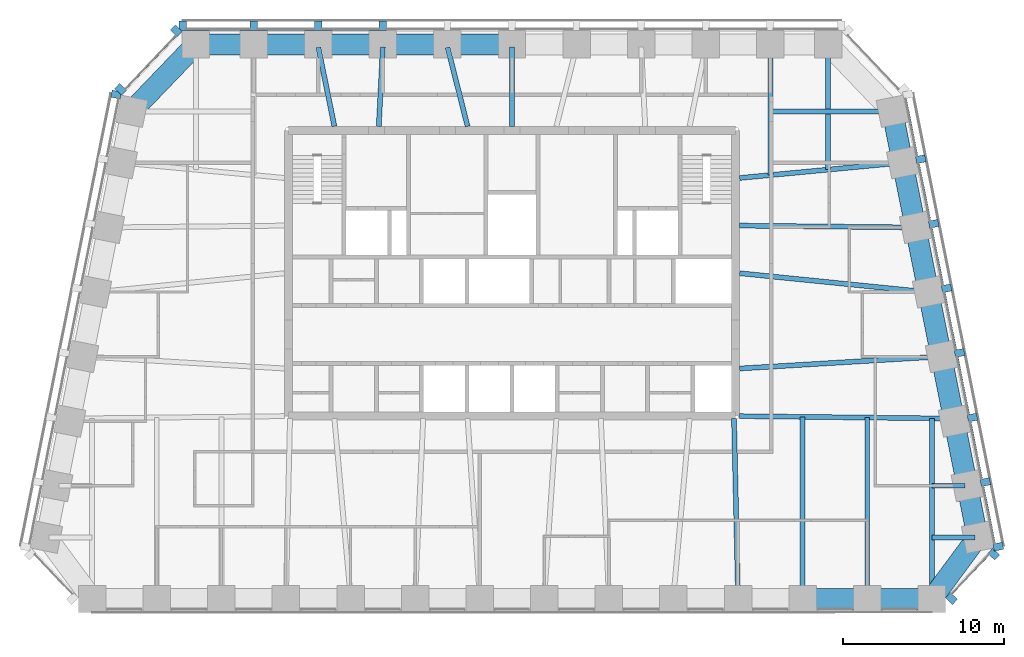
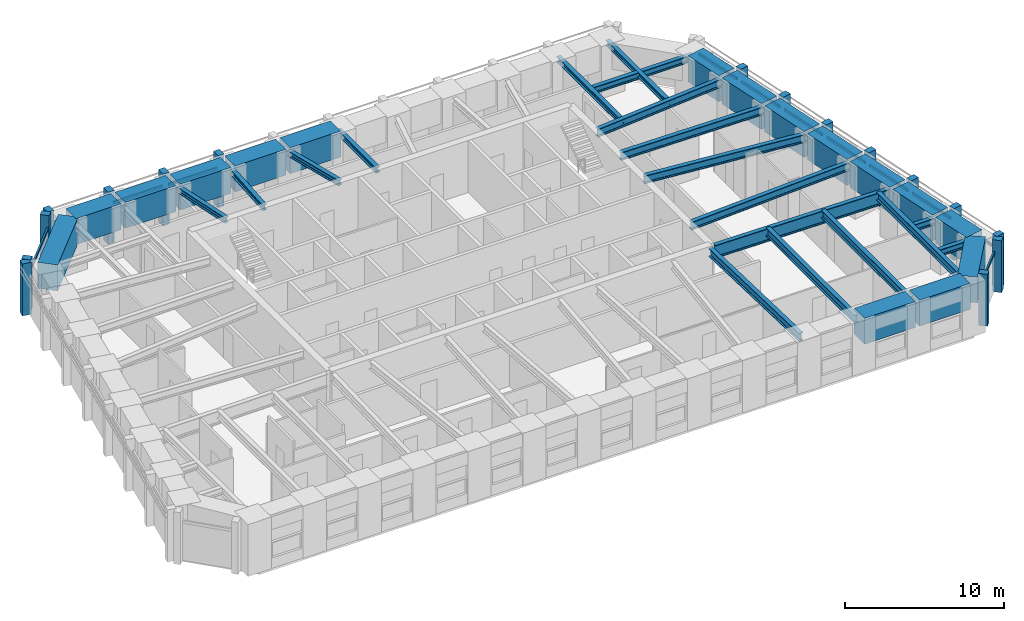
# One storey, part 2 of 11: 34 beams, 28 members, 5 elements without a shape of their own.
"""IFC4 building model written with IfcOpenShell, lengths in metres."""

import ifcopenshell
import ifcopenshell.guid

model = None  # the IFC model being written
_history = None  # IfcOwnerHistory: only IFC2X3 demands one
_inside = {}  # id of a spatial element -> (the spatial element, [elements in it])
_under = {}  # id of a project, library or spatial element -> (it, [spatial elements below it])
_declared = {}  # id of a project -> (the project, [libraries it declares])
_typed = {}  # id of a type object -> (the type object, [elements of that type])
_made_of = {}  # id of a material, layer set ... -> (it, [elements and type objects made of it])


def new_model(schema):
    """Start an empty IFC model of exactly this schema.

    Asked for "IFC4X3", IfcOpenShell would pick the latest addendum, in which some entities
    have other attributes; the version numbers below select the first issue.
    IFC2X3 requires an IfcOwnerHistory on every rooted entity: one is made here for all.
    """
    global model, _history
    if schema == "IFC4X3":
        model = ifcopenshell.file(schema_version=(4, 3, 0, 0))
    else:
        model = ifcopenshell.file(schema=schema)
    _inside.clear()
    _under.clear()
    _declared.clear()
    _typed.clear()
    _made_of.clear()
    _history = None
    if model.schema == "IFC2X3":
        org = make("IfcOrganization", Name="unknown")
        user = make(
            "IfcPersonAndOrganization",
            ThePerson=make("IfcPerson", FamilyName="unknown"),
            TheOrganization=org,
        )
        app = make(
            "IfcApplication",
            ApplicationDeveloper=org,
            Version="unknown",
            ApplicationFullName="unknown",
            ApplicationIdentifier="unknown",
        )
        _history = make(
            "IfcOwnerHistory",
            OwningUser=user,
            OwningApplication=app,
            ChangeAction="ADDED",
            CreationDate=0,
        )
    return model


def make(cls, **values):
    """One entity of the class cls with the attributes given. An attribute that is None is left unset."""
    return model.create_entity(
        cls, **{name: value for name, value in values.items() if value is not None}
    )


def rooted(cls, **values):
    """An entity with a GlobalId (a new one), such as an element, a storey or a relation."""
    return make(cls, GlobalId=ifcopenshell.guid.new(), OwnerHistory=_history, **values)


def si_unit(unit_type, name, prefix=None):
    """IfcSIUnit, for example si_unit("LENGTHUNIT", "METRE", prefix="MILLI")."""
    return make("IfcSIUnit", UnitType=unit_type, Prefix=prefix, Name=name)


def assignment(units):
    """IfcUnitAssignment: the units of a project."""
    return None if units is None else make("IfcUnitAssignment", Units=units)


def point(xyz):
    """IfcCartesianPoint."""
    return None if xyz is None else make("IfcCartesianPoint", Coordinates=xyz)


def direction(xyz):
    """IfcDirection."""
    return None if xyz is None else make("IfcDirection", DirectionRatios=xyz)


def frame(location, z_axis=None, x_axis=None):
    """IfcAxis2Placement3D, a coordinate frame: its origin and axes. An axis left out is left unset."""
    return make(
        "IfcAxis2Placement3D",
        Location=point(location),
        Axis=direction(z_axis),
        RefDirection=direction(x_axis),
    )


def frame_2d(location, x_axis=None):
    """IfcAxis2Placement2D, a coordinate frame in the plane: its origin and x axis."""
    return make(
        "IfcAxis2Placement2D", Location=point(location), RefDirection=direction(x_axis)
    )


def origin():
    """The frame at (0, 0, 0) with its axes left unset."""
    return frame((0.0, 0.0, 0.0))


def origin_2d():
    """The frame at (0, 0) in the plane with its x axis left unset."""
    return frame_2d((0.0, 0.0))


def place(relative_to, where):
    """IfcLocalPlacement: puts the frame where relative to a parent placement (None: the world)."""
    return make(
        "IfcLocalPlacement", PlacementRelTo=relative_to, RelativePlacement=where
    )


def context(
    kind, dimensions, precision=None, world=None, true_north=None, identifier=None
):
    """IfcGeometricRepresentationContext, for example the 3D "Model" context."""
    return make(
        "IfcGeometricRepresentationContext",
        ContextIdentifier=identifier,
        ContextType=kind,
        CoordinateSpaceDimension=dimensions,
        Precision=precision,
        WorldCoordinateSystem=world,
        TrueNorth=true_north,
    )


def subcontext(parent, identifier, kind, view, scale=None):
    """IfcGeometricRepresentationSubContext, for example "Body" below "Model"."""
    return make(
        "IfcGeometricRepresentationSubContext",
        ContextIdentifier=identifier,
        ContextType=kind,
        ParentContext=parent,
        TargetScale=scale,
        TargetView=view,
    )


def project(units=None, contexts=None):
    """IfcProject with its units and contexts."""
    return rooted(
        "IfcProject",
        Name="project",
        RepresentationContexts=contexts,
        UnitsInContext=assignment(units),
    )


def spatial(cls, under=None, at=None, **own):
    """A site, building, storey or space (cls), placed at a placement, below another one or the project."""
    s = rooted(cls, ObjectPlacement=at, **own)
    if under is not None:
        _under.setdefault(under.id(), (under, []))[1].append(s)
    return s


def profile(cls, at=None, kind="AREA", **sizes):
    """A parametric profile (cls). Its sizes go by their IFC names, for example OverallWidth=200.0."""
    return make(cls, ProfileType=kind, Position=at, **sizes)


def rectangle(**sizes):
    """IfcRectangleProfileDef."""
    return profile("IfcRectangleProfileDef", **sizes)


def i_section(**sizes):
    """IfcIShapeProfileDef."""
    return profile("IfcIShapeProfileDef", **sizes)


def extrude(swept, where, along, depth):
    """IfcExtrudedAreaSolid: the profile swept, set in the frame where, extruded along a direction by depth."""
    return make(
        "IfcExtrudedAreaSolid",
        SweptArea=swept,
        Position=where,
        ExtrudedDirection=direction(along),
        Depth=depth,
    )


def shape(context_of_items, identifier, shape_type, items):
    """IfcShapeRepresentation: the items that make up one representation, for example the "Body"."""
    return make(
        "IfcShapeRepresentation",
        ContextOfItems=context_of_items,
        RepresentationIdentifier=identifier,
        RepresentationType=shape_type,
        Items=items,
    )


def material(Name=None, Category=None):
    """IfcMaterial."""
    return make("IfcMaterial", Name=Name, Category=Category)


def material_profile(
    of_material, cross_section, Name=None, Category=None, Priority=None
):
    """IfcMaterialProfile: a cross section and its material."""
    return make(
        "IfcMaterialProfile",
        Name=Name,
        Material=of_material,
        Profile=cross_section,
        Priority=Priority,
        Category=Category,
    )


def profile_set(profiles, Name=None, composite=None):
    """IfcMaterialProfileSet."""
    return make(
        "IfcMaterialProfileSet",
        Name=Name,
        MaterialProfiles=profiles,
        CompositeProfile=composite,
    )


def made_of(thing, what):
    """Note that an element or type object is made of a material, layer set ...; save() writes the relation."""
    if what is not None:
        _made_of.setdefault(what.id(), (what, []))[1].append(thing)
    return thing


def type_object(cls, material=None, **own):
    """A type object (cls), such as IfcWallType, which elements share."""
    return made_of(rooted(cls, **own), material)


def element(
    cls,
    number,
    at=None,
    inside=None,
    cuts=None,
    type_object=None,
    material=None,
    context=None,
    identifier="Body",
    shape_type=None,
    held_by="IfcProductDefinitionShape",
    body=None,
    shapes=None,
    **own,
):
    """One element of the class cls, such as IfcWall. Its Tag is "e" and its number.

    at: its placement. inside: the storey or other place that contains it. cuts: it is an
    opening in that element (IfcRelVoidsElement). A single representation is given by context,
    identifier, shape_type and body (its items); several are given by shapes. held_by: the class
    of the entity that holds the representations. save() writes the other relations.
    """
    e = rooted(cls, Tag="e%d" % number, ObjectPlacement=at, **own)
    if body is not None:
        shapes = [shape(context, identifier, shape_type, body)]
    if shapes is not None:
        e.Representation = make(held_by, Representations=shapes)
    if inside is not None:
        _inside.setdefault(inside.id(), (inside, []))[1].append(e)
    if cuts is not None:
        rooted(
            "IfcRelVoidsElement", RelatingBuildingElement=cuts, RelatedOpeningElement=e
        )
    if type_object is not None:
        _typed.setdefault(type_object.id(), (type_object, []))[1].append(e)
    return made_of(e, material)


def aggregate(whole, parts):
    """IfcRelAggregates: a whole, such as a stair, and the parts it consists of."""
    return rooted("IfcRelAggregates", RelatingObject=whole, RelatedObjects=parts)


def save(model, path):
    """Write the relations noted so far, then the file.

    IfcRelAggregates (storeys below a building ...), IfcRelContainedInSpatialStructure (elements
    in a storey), IfcRelDefinesByType, IfcRelAssociatesMaterial and IfcRelDeclares: one each for
    every whole, place, type object, material and project.
    """
    for whole, parts in _under.values():
        aggregate(whole, parts)
    for where, things in _inside.values():
        rooted(
            "IfcRelContainedInSpatialStructure",
            RelatedElements=things,
            RelatingStructure=where,
        )
    for kind, things in _typed.values():
        rooted("IfcRelDefinesByType", RelatedObjects=things, RelatingType=kind)
    for what, things in _made_of.values():
        rooted("IfcRelAssociatesMaterial", RelatedObjects=things, RelatingMaterial=what)
    for by, libraries in _declared.values():
        rooted("IfcRelDeclares", RelatingContext=by, RelatedDefinitions=libraries)
    model.write(path)


model = new_model("IFC4")

# Units and contexts
model_context = context("Model", 3, precision=1e-05, world=origin(), true_north=direction((0.0, 1.0)))
body_context = subcontext(model_context, "Body", "Model", "MODEL_VIEW")
ifc_project = project(units=[si_unit("LENGTHUNIT", "METRE"), si_unit("AREAUNIT", "SQUARE_METRE"), si_unit("VOLUMEUNIT", "CUBIC_METRE"), si_unit("PLANEANGLEUNIT", "RADIAN"), si_unit("MASSUNIT", "GRAM", prefix="KILO")], contexts=[model_context])

# Site, building, storey
site_placement = place(None, origin())
site = spatial("IfcSite", under=ifc_project, at=site_placement, CompositionType="ELEMENT")
building_placement = place(site_placement, origin())
building = spatial("IfcBuilding", under=site, at=building_placement, Name="Isbrekke Arena Tower", CompositionType="ELEMENT")
storey_placement = place(building_placement, frame((0.0, 0.0, 288.0)))
storey = spatial("IfcBuildingStorey", under=building, at=storey_placement, Name="L67", CompositionType="ELEMENT", Elevation=288.0)

# Beams
ifc_material_1 = material(Name="Steel S355", Category="steel")
ifc_material_profile_1 = material_profile(ifc_material_1, i_section(OverallWidth=0.304931640625, OverallDepth=0.6201171875, WebThickness=0.02099609375, FlangeThickness=0.0400390625, FilletRadius=0.027099609375, at=origin_2d()), Name="HEM 600")
ifc_profile_set_1 = profile_set([ifc_material_profile_1], Name="Steel S355")
beam_type_1 = type_object("IfcBeamType", Name="B4 HEM 600", PredefinedType="BEAM", material=ifc_profile_set_1)
beam_1_placement = place(storey_placement, frame((14.0, -5.021484375, 3.5400390625), z_axis=(-0.022677136914, 0.999742840665, 0.0), x_axis=(-0.999742840665, -0.022677136914, 0.0)))
element("IfcBeam", 1, at=beam_1_placement, inside=storey, type_object=beam_type_1, Name="B4 beam C-S11 L67", PredefinedType="BEAM", context=body_context, shape_type="SweptSolid", body=[
    extrude(i_section(OverallWidth=0.304931640625, OverallDepth=0.6201171875, WebThickness=0.02099609375, FlangeThickness=0.0400390625, FilletRadius=0.027099609375, at=origin_2d()), origin(), (0.0, 0.0, 1.0), 11.0244140625),
])
beam_2_placement = place(storey_placement, frame((18.0, -5.02490234375, 3.5400390625), z_axis=(0.0, 1.0, 0.0), x_axis=(-1.0, 0.0, 0.0)))
element("IfcBeam", 2, at=beam_2_placement, inside=storey, type_object=beam_type_1, Name="B4 beam C-S12 L67", PredefinedType="BEAM", context=body_context, shape_type="SweptSolid", body=[
    extrude(i_section(OverallWidth=0.304931640625, OverallDepth=0.6201171875, WebThickness=0.02099609375, FlangeThickness=0.0400390625, FilletRadius=0.027099609375, at=origin_2d()), origin(), (0.0, 0.0, 1.0), 11.130859375),
])
beam_3_placement = place(storey_placement, frame((22.0, -5.02490234375, 3.5400390625), z_axis=(0.0, 1.0, 0.0), x_axis=(-1.0, 0.0, 0.0)))
element("IfcBeam", 3, at=beam_3_placement, inside=storey, type_object=beam_type_1, Name="B4 beam C-S13 L67", PredefinedType="BEAM", context=body_context, shape_type="SweptSolid", body=[
    extrude(i_section(OverallWidth=0.304931640625, OverallDepth=0.6201171875, WebThickness=0.02099609375, FlangeThickness=0.0400390625, FilletRadius=0.027099609375, at=origin_2d()), origin(), (0.0, 0.0, 1.0), 11.085693359375),
])
beam_4_placement = place(storey_placement, frame((26.0, -5.02490234375, 3.5400390625), z_axis=(0.0, 1.0, 0.0), x_axis=(-1.0, 0.0, 0.0)))
element("IfcBeam", 4, at=beam_4_placement, inside=storey, type_object=beam_type_1, Name="B4 beam C-S14 L67", PredefinedType="BEAM", context=body_context, shape_type="SweptSolid", body=[
    extrude(i_section(OverallWidth=0.304931640625, OverallDepth=0.6201171875, WebThickness=0.02099609375, FlangeThickness=0.0400390625, FilletRadius=0.027099609375, at=origin_2d()), origin(), (0.0, 0.0, 1.0), 11.04052734375),
])
beam_5_placement = place(storey_placement, frame((26.431884765625, 9.837646484375, 3.5400390625), z_axis=(-0.998216240514, -0.059702070095, 0.0), x_axis=(0.059702070095, -0.998216240514, 0.0)))
element("IfcBeam", 5, at=beam_5_placement, inside=storey, type_object=beam_type_1, Name="B4 beam E-E04 L67", PredefinedType="BEAM", context=body_context, shape_type="SweptSolid", body=[
    extrude(i_section(OverallWidth=0.304931640625, OverallDepth=0.6201171875, WebThickness=0.02099609375, FlangeThickness=0.0400390625, FilletRadius=0.027099609375, at=origin_2d()), origin(), (0.0, 0.0, 1.0), 12.353759765625),
])
beam_6_placement = place(storey_placement, frame((25.625732421875, 13.83984375, 3.5400390625), z_axis=(-0.994972081505, 0.100152668587, 0.0), x_axis=(-0.100152668587, -0.994972081505, 0.0)))
element("IfcBeam", 6, at=beam_6_placement, inside=storey, type_object=beam_type_1, Name="B4 beam E-E05 L67", PredefinedType="BEAM", context=body_context, shape_type="SweptSolid", body=[
    extrude(i_section(OverallWidth=0.304931640625, OverallDepth=0.6201171875, WebThickness=0.02099609375, FlangeThickness=0.0400390625, FilletRadius=0.027099609375, at=origin_2d()), origin(), (0.0, 0.0, 1.0), 11.583984375),
])
beam_7_placement = place(storey_placement, frame((24.83935546875, 17.838134765625, 3.5400390625), z_axis=(-0.999945800258, 0.010411366203, 0.0), x_axis=(-0.010411366203, -0.999945800258, 0.0)))
element("IfcBeam", 7, at=beam_7_placement, inside=storey, type_object=beam_type_1, Name="B4 beam E-E06 L67", PredefinedType="BEAM", context=body_context, shape_type="SweptSolid", body=[
    extrude(i_section(OverallWidth=0.304931640625, OverallDepth=0.6201171875, WebThickness=0.02099609375, FlangeThickness=0.0400390625, FilletRadius=0.027099609375, at=origin_2d()), origin(), (0.0, 0.0, 1.0), 10.73974609375),
])
beam_8_placement = place(storey_placement, frame((24.02685546875, 21.8369140625, 3.5400390625), z_axis=(-0.995574576627, -0.093974796485, 0.0), x_axis=(0.093974796485, -0.995574576627, 0.0)))
element("IfcBeam", 8, at=beam_8_placement, inside=storey, type_object=beam_type_1, Name="B4 beam E-E07 L67", PredefinedType="BEAM", context=body_context, shape_type="SweptSolid", body=[
    extrude(i_section(OverallWidth=0.304931640625, OverallDepth=0.6201171875, WebThickness=0.02099609375, FlangeThickness=0.0400390625, FilletRadius=0.027099609375, at=origin_2d()), origin(), (0.0, 0.0, 1.0), 9.970947265625),
])
ifc_material_2 = material(Name="Steel S355", Category="steel")
ifc_material_profile_2 = material_profile(ifc_material_2, i_section(OverallWidth=0.305908203125, OverallDepth=0.52392578125, WebThickness=0.02099609375, FlangeThickness=0.0400390625, FilletRadius=0.027099609375, at=origin_2d()), Name="HEM 500")
ifc_profile_set_2 = profile_set([ifc_material_profile_2], Name="Steel S355")
beam_type_2 = type_object("IfcBeamType", Name="B5 HEM 500", PredefinedType="BEAM", material=ifc_profile_set_2)
beam_9_placement = place(storey_placement, frame((28.67919921875, -1.352783203125, 3.587890625), z_axis=(-1.0, 0.0, 0.0), x_axis=(0.0, -1.0, 0.0)))
element("IfcBeam", 9, at=beam_9_placement, inside=storey, type_object=beam_type_2, Name="B5 beam E-E01 L67", PredefinedType="BEAM", context=body_context, shape_type="SweptSolid", body=[
    extrude(i_section(OverallWidth=0.305908203125, OverallDepth=0.52392578125, WebThickness=0.02099609375, FlangeThickness=0.0400390625, FilletRadius=0.027099609375, at=origin_2d()), origin(), (0.0, 0.0, 1.0), 2.67919921875),
])
beam_10_placement = place(storey_placement, frame((28.041015625, 1.838134765625, 3.587890625), z_axis=(-1.0, 0.0, 0.0), x_axis=(0.0, -1.0, 0.0)))
element("IfcBeam", 10, at=beam_10_placement, inside=storey, type_object=beam_type_2, Name="B5 beam E-E02 L67", PredefinedType="BEAM", context=body_context, shape_type="SweptSolid", body=[
    extrude(i_section(OverallWidth=0.305908203125, OverallDepth=0.52392578125, WebThickness=0.02099609375, FlangeThickness=0.0400390625, FilletRadius=0.027099609375, at=origin_2d()), origin(), (0.0, 0.0, 1.0), 2.041015625),
])
beam_11_placement = place(storey_placement, frame((23.40283203125, 25.029296875, 3.587890625), z_axis=(-1.0, 0.0, 0.0), x_axis=(0.0, -1.0, 0.0)))
element("IfcBeam", 11, at=beam_11_placement, inside=storey, type_object=beam_type_2, Name="B5 beam E-E08 L67", PredefinedType="BEAM", context=body_context, shape_type="SweptSolid", body=[
    extrude(i_section(OverallWidth=0.305908203125, OverallDepth=0.52392578125, WebThickness=0.02099609375, FlangeThickness=0.0400390625, FilletRadius=0.027099609375, at=origin_2d()), origin(), (0.0, 0.0, 1.0), 7.40283203125),
])
ifc_material_3 = material(Name="Steel S355", Category="steel")
ifc_material_profile_3 = material_profile(ifc_material_3, i_section(OverallWidth=0.306884765625, OverallDepth=0.431884765625, WebThickness=0.02099609375, FlangeThickness=0.0400390625, FilletRadius=0.027099609375, at=origin_2d()), Name="HEM 400")
ifc_profile_set_3 = profile_set([ifc_material_profile_3], Name="Steel S355")
beam_type_3 = type_object("IfcBeamType", Name="B6 HEM 400", PredefinedType="BEAM", material=ifc_profile_set_3)
beam_12_placement = place(storey_placement, frame((19.574951171875, 29.02490234375, 3.634033203125), z_axis=(0.0, -1.0, 0.0), x_axis=(1.0, 0.0, 0.0)))
element("IfcBeam", 12, at=beam_12_placement, inside=storey, type_object=beam_type_3, Name="B6 beam N-N01 L67", PredefinedType="BEAM", context=body_context, shape_type="SweptSolid", body=[
    extrude(i_section(OverallWidth=0.306884765625, OverallDepth=0.431884765625, WebThickness=0.02099609375, FlangeThickness=0.0400390625, FilletRadius=0.027099609375, at=origin_2d()), origin(), (0.0, 0.0, 1.0), 7.608154296875),
])
beam_13_placement = place(storey_placement, frame((16.0, 29.02490234375, 3.634033203125), z_axis=(0.0, -1.0, 0.0), x_axis=(1.0, 0.0, 0.0)))
element("IfcBeam", 13, at=beam_13_placement, inside=storey, type_object=beam_type_3, Name="B6 beam N-N02 L67", PredefinedType="BEAM", context=body_context, shape_type="SweptSolid", body=[
    extrude(i_section(OverallWidth=0.306884765625, OverallDepth=0.431884765625, WebThickness=0.02099609375, FlangeThickness=0.0400390625, FilletRadius=0.027099609375, at=origin_2d()), origin(), (0.0, 0.0, 1.0), 7.945556640625),
])
beam_14_placement = place(storey_placement, frame((0.0, 29.02490234375, 3.634033203125), z_axis=(0.0, -1.0, 0.0), x_axis=(1.0, 0.0, 0.0)))
element("IfcBeam", 14, at=beam_14_placement, inside=storey, type_object=beam_type_3, Name="B6 beam N-N06 L67", PredefinedType="BEAM", context=body_context, shape_type="SweptSolid", body=[
    extrude(i_section(OverallWidth=0.306884765625, OverallDepth=0.431884765625, WebThickness=0.02099609375, FlangeThickness=0.0400390625, FilletRadius=0.027099609375, at=origin_2d()), origin(), (0.0, 0.0, 1.0), 4.9248046875),
])
beam_15_placement = place(storey_placement, frame((-3.99072265625, 28.98828125, 3.634033203125), z_axis=(0.246019579109, -0.969264858898, 0.0), x_axis=(0.969264858898, 0.246019579109, 0.0)))
element("IfcBeam", 15, at=beam_15_placement, inside=storey, type_object=beam_type_3, Name="B6 beam N-N07 L67", PredefinedType="BEAM", context=body_context, shape_type="SweptSolid", body=[
    extrude(i_section(OverallWidth=0.306884765625, OverallDepth=0.431884765625, WebThickness=0.02099609375, FlangeThickness=0.0400390625, FilletRadius=0.027099609375, at=origin_2d()), origin(), (0.0, 0.0, 1.0), 5.043212890625),
])
beam_16_placement = place(storey_placement, frame((-8.00048828125, 29.017333984375, 3.634033203125), z_axis=(-0.050677067868, -0.998715091902, 0.0), x_axis=(0.998715091902, -0.050677067868, 0.0)))
element("IfcBeam", 16, at=beam_16_placement, inside=storey, type_object=beam_type_3, Name="B6 beam N-N08 L67", PredefinedType="BEAM", context=body_context, shape_type="SweptSolid", body=[
    extrude(i_section(OverallWidth=0.306884765625, OverallDepth=0.431884765625, WebThickness=0.02099609375, FlangeThickness=0.0400390625, FilletRadius=0.027099609375, at=origin_2d()), origin(), (0.0, 0.0, 1.0), 4.923583984375),
])
beam_17_placement = place(storey_placement, frame((-11.993896484375, 28.9951171875, 3.634033203125), z_axis=(0.198982177337, -0.980003108721, 0.0), x_axis=(0.980003108721, 0.198982177337, 0.0)))
element("IfcBeam", 17, at=beam_17_placement, inside=storey, type_object=beam_type_3, Name="B6 beam N-N09 L67", PredefinedType="BEAM", context=body_context, shape_type="SweptSolid", body=[
    extrude(i_section(OverallWidth=0.306884765625, OverallDepth=0.431884765625, WebThickness=0.02099609375, FlangeThickness=0.0400390625, FilletRadius=0.027099609375, at=origin_2d()), origin(), (0.0, 0.0, 1.0), 4.994873046875),
])

# Curtain wall, members
ifc_material_4 = material(Name="Glazed aluminium curtain wall", Category="aluminium")
curtain_wall_type = type_object("IfcCurtainWallType", Name="CWT TOWER CURTAIN WALL TOP ZONE", PredefinedType="USERDEFINED", material=ifc_material_4)
curtain_wall_1_placement = place(storey_placement, origin())
curtain_wall_1 = element("IfcCurtainWall", 18, at=curtain_wall_1_placement, inside=storey, type_object=curtain_wall_type, Name="CWT curtain wall L67-SE", ObjectType="TOWER CURTAIN WALL TOP ZONE", PredefinedType="USERDEFINED")
ifc_material_5 = material(Name="Copper-clad aluminium mullion", Category="aluminium")
ifc_material_profile_4 = material_profile(ifc_material_5, rectangle(XDim=0.449951171875, YDim=0.60009765625, at=origin_2d()), Name="PIER 450X600")
ifc_profile_set_4 = profile_set([ifc_material_profile_4], Name="Copper-clad aluminium mullion")
member_type_1 = type_object("IfcMemberType", Name="CWT-M PIER MULLION 450 x 600", PredefinedType="MULLION", material=ifc_profile_set_4)
member_1_placement = place(storey_placement, frame((27.22021484375, -5.151123046875, 0.0), z_axis=(0.0, 0.0, 1.0), x_axis=(0.68874946192, 0.72499943359, 0.0)))
member_1 = element("IfcMember", 19, at=member_1_placement, type_object=member_type_1, Name="CWT-M mullion 1", PredefinedType="MULLION", context=body_context, shape_type="SweptSolid", body=[
    extrude(rectangle(XDim=0.449951171875, YDim=0.60009765625, at=origin_2d()), origin(), (0.0, 0.0, 1.0), 4.0),
])
member_2_placement = place(storey_placement, frame((29.8359375, -2.397705078125, 0.0), z_axis=(0.0, 0.0, 1.0), x_axis=(0.68874946192, 0.72499943359, 0.0)))
member_2 = element("IfcMember", 20, at=member_2_placement, type_object=member_type_1, Name="CWT-M mullion 2", PredefinedType="MULLION", context=body_context, shape_type="SweptSolid", body=[
    extrude(rectangle(XDim=0.449951171875, YDim=0.60009765625, at=origin_2d()), origin(), (0.0, 0.0, 1.0), 4.0),
])

curtain_wall_2_placement = place(storey_placement, origin())
curtain_wall_2 = element("IfcCurtainWall", 21, at=curtain_wall_2_placement, inside=storey, type_object=curtain_wall_type, Name="CWT curtain wall L67-E", ObjectType="TOWER CURTAIN WALL TOP ZONE", PredefinedType="USERDEFINED")
member_3_placement = place(storey_placement, frame((30.11865234375, -1.936279296875, 0.0), z_axis=(0.0, 0.0, 1.0), x_axis=(-0.196116135138, 0.980580675691, 0.0)))
member_3 = element("IfcMember", 22, at=member_3_placement, type_object=member_type_1, Name="CWT-M mullion 1", PredefinedType="MULLION", context=body_context, shape_type="SweptSolid", body=[
    extrude(rectangle(XDim=0.449951171875, YDim=0.60009765625, at=origin_2d()), origin(), (0.0, 0.0, 1.0), 4.0),
])
member_4_placement = place(storey_placement, frame((29.318603515625, 2.063720703125, 0.0), z_axis=(0.0, 0.0, 1.0), x_axis=(-0.196116135138, 0.980580675691, 0.0)))
member_4 = element("IfcMember", 23, at=member_4_placement, type_object=member_type_1, Name="CWT-M mullion 2", PredefinedType="MULLION", context=body_context, shape_type="SweptSolid", body=[
    extrude(rectangle(XDim=0.449951171875, YDim=0.60009765625, at=origin_2d()), origin(), (0.0, 0.0, 1.0), 4.0),
])
member_5_placement = place(storey_placement, frame((28.518798828125, 6.063720703125, 0.0), z_axis=(0.0, 0.0, 1.0), x_axis=(-0.196116135138, 0.980580675691, 0.0)))
member_5 = element("IfcMember", 24, at=member_5_placement, type_object=member_type_1, Name="CWT-M mullion 3", PredefinedType="MULLION", context=body_context, shape_type="SweptSolid", body=[
    extrude(rectangle(XDim=0.449951171875, YDim=0.60009765625, at=origin_2d()), origin(), (0.0, 0.0, 1.0), 4.0),
])
member_6_placement = place(storey_placement, frame((27.71875, 10.063720703125, 0.0), z_axis=(0.0, 0.0, 1.0), x_axis=(-0.196116135138, 0.980580675691, 0.0)))
member_6 = element("IfcMember", 25, at=member_6_placement, type_object=member_type_1, Name="CWT-M mullion 4", PredefinedType="MULLION", context=body_context, shape_type="SweptSolid", body=[
    extrude(rectangle(XDim=0.449951171875, YDim=0.60009765625, at=origin_2d()), origin(), (0.0, 0.0, 1.0), 4.0),
])
member_7_placement = place(storey_placement, frame((26.918701171875, 14.063720703125, 0.0), z_axis=(0.0, 0.0, 1.0), x_axis=(-0.196116135138, 0.980580675691, 0.0)))
member_7 = element("IfcMember", 26, at=member_7_placement, type_object=member_type_1, Name="CWT-M mullion 5", PredefinedType="MULLION", context=body_context, shape_type="SweptSolid", body=[
    extrude(rectangle(XDim=0.449951171875, YDim=0.60009765625, at=origin_2d()), origin(), (0.0, 0.0, 1.0), 4.0),
])
member_8_placement = place(storey_placement, frame((26.11865234375, 18.063720703125, 0.0), z_axis=(0.0, 0.0, 1.0), x_axis=(-0.196116135138, 0.980580675691, 0.0)))
member_8 = element("IfcMember", 27, at=member_8_placement, type_object=member_type_1, Name="CWT-M mullion 6", PredefinedType="MULLION", context=body_context, shape_type="SweptSolid", body=[
    extrude(rectangle(XDim=0.449951171875, YDim=0.60009765625, at=origin_2d()), origin(), (0.0, 0.0, 1.0), 4.0),
])
member_9_placement = place(storey_placement, frame((25.318603515625, 22.063720703125, 0.0), z_axis=(0.0, 0.0, 1.0), x_axis=(-0.196116135138, 0.980580675691, 0.0)))
member_9 = element("IfcMember", 28, at=member_9_placement, type_object=member_type_1, Name="CWT-M mullion 7", PredefinedType="MULLION", context=body_context, shape_type="SweptSolid", body=[
    extrude(rectangle(XDim=0.449951171875, YDim=0.60009765625, at=origin_2d()), origin(), (0.0, 0.0, 1.0), 4.0),
])

curtain_wall_3_placement = place(storey_placement, origin())
curtain_wall_3 = element("IfcCurtainWall", 29, at=curtain_wall_3_placement, inside=storey, type_object=curtain_wall_type, Name="CWT curtain wall L67-N", ObjectType="TOWER CURTAIN WALL TOP ZONE", PredefinedType="USERDEFINED")
member_10_placement = place(storey_placement, frame((-8.0, 30.324951171875, 0.0), z_axis=(0.0, 0.0, 1.0), x_axis=(-1.0, 0.0, 0.0)))
member_10 = element("IfcMember", 30, at=member_10_placement, type_object=member_type_1, Name="CWT-M mullion 8", PredefinedType="MULLION", context=body_context, shape_type="SweptSolid", body=[
    extrude(rectangle(XDim=0.449951171875, YDim=0.60009765625, at=origin_2d()), origin(), (0.0, 0.0, 1.0), 4.0),
])
member_11_placement = place(storey_placement, frame((-12.0, 30.324951171875, 0.0), z_axis=(0.0, 0.0, 1.0), x_axis=(-1.0, 0.0, 0.0)))
member_11 = element("IfcMember", 31, at=member_11_placement, type_object=member_type_1, Name="CWT-M mullion 9", PredefinedType="MULLION", context=body_context, shape_type="SweptSolid", body=[
    extrude(rectangle(XDim=0.449951171875, YDim=0.60009765625, at=origin_2d()), origin(), (0.0, 0.0, 1.0), 4.0),
])
member_12_placement = place(storey_placement, frame((-16.0, 30.324951171875, 0.0), z_axis=(0.0, 0.0, 1.0), x_axis=(-1.0, 0.0, 0.0)))
member_12 = element("IfcMember", 32, at=member_12_placement, type_object=member_type_1, Name="CWT-M mullion 10", PredefinedType="MULLION", context=body_context, shape_type="SweptSolid", body=[
    extrude(rectangle(XDim=0.449951171875, YDim=0.60009765625, at=origin_2d()), origin(), (0.0, 0.0, 1.0), 4.0),
])
member_13_placement = place(storey_placement, frame((-20.39990234375, 30.324951171875, 0.0), z_axis=(0.0, 0.0, 1.0), x_axis=(-1.0, 0.0, 0.0)))
member_13 = element("IfcMember", 33, at=member_13_placement, type_object=member_type_1, Name="CWT-M mullion 11", PredefinedType="MULLION", context=body_context, shape_type="SweptSolid", body=[
    extrude(rectangle(XDim=0.449951171875, YDim=0.60009765625, at=origin_2d()), origin(), (0.0, 0.0, 1.0), 4.0),
])

curtain_wall_4_placement = place(storey_placement, origin())
curtain_wall_4 = element("IfcCurtainWall", 34, at=curtain_wall_4_placement, inside=storey, type_object=curtain_wall_type, Name="CWT curtain wall L67-NW", ObjectType="TOWER CURTAIN WALL TOP ZONE", PredefinedType="USERDEFINED")
member_14_placement = place(storey_placement, frame((-20.795166015625, 30.01953125, 0.0), z_axis=(0.0, 0.0, 1.0), x_axis=(-0.68874946192, -0.72499943359, 0.0)))
member_14 = element("IfcMember", 35, at=member_14_placement, type_object=member_type_1, Name="CWT-M mullion 1", PredefinedType="MULLION", context=body_context, shape_type="SweptSolid", body=[
    extrude(rectangle(XDim=0.449951171875, YDim=0.60009765625, at=origin_2d()), origin(), (0.0, 0.0, 1.0), 4.0),
])
member_15_placement = place(storey_placement, frame((-24.243896484375, 26.389404296875, 0.0), z_axis=(0.0, 0.0, 1.0), x_axis=(-0.68874946192, -0.72499943359, 0.0)))
member_15 = element("IfcMember", 36, at=member_15_placement, type_object=member_type_1, Name="CWT-M mullion 2", PredefinedType="MULLION", context=body_context, shape_type="SweptSolid", body=[
    extrude(rectangle(XDim=0.449951171875, YDim=0.60009765625, at=origin_2d()), origin(), (0.0, 0.0, 1.0), 4.0),
])

# Curtain wall, member
curtain_wall_5_placement = place(storey_placement, origin())
curtain_wall_5 = element("IfcCurtainWall", 37, at=curtain_wall_5_placement, inside=storey, type_object=curtain_wall_type, Name="CWT curtain wall L67-W", ObjectType="TOWER CURTAIN WALL TOP ZONE", PredefinedType="USERDEFINED")
member_16_placement = place(storey_placement, frame((-24.518798828125, 26.063720703125, 0.0), z_axis=(0.0, 0.0, 1.0), x_axis=(-0.196116135138, -0.980580675691, 0.0)))
member_16 = element("IfcMember", 38, at=member_16_placement, type_object=member_type_1, Name="CWT-M mullion 1", PredefinedType="MULLION", context=body_context, shape_type="SweptSolid", body=[
    extrude(rectangle(XDim=0.449951171875, YDim=0.60009765625, at=origin_2d()), origin(), (0.0, 0.0, 1.0), 4.0),
])
aggregate(curtain_wall_5, [member_16])

# Member
ifc_material_6 = material(Name="Aluminium transom", Category="aluminium")
ifc_material_profile_5 = material_profile(ifc_material_6, rectangle(XDim=0.1201171875, YDim=0.199951171875, at=origin_2d()), Name="TRANSOM 120X200")
ifc_profile_set_5 = profile_set([ifc_material_profile_5], Name="Aluminium transom")
member_type_2 = type_object("IfcMemberType", Name="CWT-T TRANSOM 120 x 200", PredefinedType="USERDEFINED", material=ifc_profile_set_5)
member_17_placement = place(storey_placement, frame((27.230224609375, -4.850341796875, 3.0), z_axis=(0.688714962542, 0.725032206437, 0.0), x_axis=(-0.725032206437, 0.688714962542, 0.0)))
member_17 = element("IfcMember", 39, at=member_17_placement, type_object=member_type_2, Name="CWT-T transom 1", ObjectType="TRANSOM", PredefinedType="USERDEFINED", context=body_context, shape_type="SweptSolid", body=[
    extrude(rectangle(XDim=0.1201171875, YDim=0.199951171875, at=origin_2d()), origin(), (0.0, 0.0, 1.0), 3.34765625),
])

aggregate(curtain_wall_1, [member_1, member_2, member_17])

member_18_placement = place(storey_placement, frame((29.87841796875, -1.7548828125, 3.0), z_axis=(-0.196090262229, 0.980585849918, 0.0), x_axis=(-0.980585849918, -0.196090262229, 0.0)))
member_18 = element("IfcMember", 40, at=member_18_placement, type_object=member_type_2, Name="CWT-T transom 1", ObjectType="TRANSOM", PredefinedType="USERDEFINED", context=body_context, shape_type="SweptSolid", body=[
    extrude(rectangle(XDim=0.1201171875, YDim=0.199951171875, at=origin_2d()), origin(), (0.0, 0.0, 1.0), 3.62939453125),
])

member_19_placement = place(storey_placement, frame((29.078369140625, 2.2451171875, 3.0), z_axis=(-0.196090262229, 0.980585849918, 0.0), x_axis=(-0.980585849918, -0.196090262229, 0.0)))
member_19 = element("IfcMember", 41, at=member_19_placement, type_object=member_type_2, Name="CWT-T transom 2", ObjectType="TRANSOM", PredefinedType="USERDEFINED", context=body_context, shape_type="SweptSolid", body=[
    extrude(rectangle(XDim=0.1201171875, YDim=0.199951171875, at=origin_2d()), origin(), (0.0, 0.0, 1.0), 3.62939453125),
])

member_20_placement = place(storey_placement, frame((28.278564453125, 6.2451171875, 3.0), z_axis=(-0.196154943734, 0.980572913173, 0.0), x_axis=(-0.980572913173, -0.196154943734, 0.0)))
member_20 = element("IfcMember", 42, at=member_20_placement, type_object=member_type_2, Name="CWT-T transom 3", ObjectType="TRANSOM", PredefinedType="USERDEFINED", context=body_context, shape_type="SweptSolid", body=[
    extrude(rectangle(XDim=0.1201171875, YDim=0.199951171875, at=origin_2d()), origin(), (0.0, 0.0, 1.0), 3.62939453125),
])

member_21_placement = place(storey_placement, frame((27.478515625, 10.2451171875, 3.0), z_axis=(-0.196154943734, 0.980572913173, 0.0), x_axis=(-0.980572913173, -0.196154943734, 0.0)))
member_21 = element("IfcMember", 43, at=member_21_placement, type_object=member_type_2, Name="CWT-T transom 4", ObjectType="TRANSOM", PredefinedType="USERDEFINED", context=body_context, shape_type="SweptSolid", body=[
    extrude(rectangle(XDim=0.1201171875, YDim=0.199951171875, at=origin_2d()), origin(), (0.0, 0.0, 1.0), 3.62939453125),
])

member_22_placement = place(storey_placement, frame((26.678466796875, 14.2451171875, 3.0), z_axis=(-0.196090262229, 0.980585849918, 0.0), x_axis=(-0.980585849918, -0.196090262229, 0.0)))
member_22 = element("IfcMember", 44, at=member_22_placement, type_object=member_type_2, Name="CWT-T transom 5", ObjectType="TRANSOM", PredefinedType="USERDEFINED", context=body_context, shape_type="SweptSolid", body=[
    extrude(rectangle(XDim=0.1201171875, YDim=0.199951171875, at=origin_2d()), origin(), (0.0, 0.0, 1.0), 3.62939453125),
])

member_23_placement = place(storey_placement, frame((25.87841796875, 18.2451171875, 3.0), z_axis=(-0.196090262229, 0.980585849918, 0.0), x_axis=(-0.980585849918, -0.196090262229, 0.0)))
member_23 = element("IfcMember", 45, at=member_23_placement, type_object=member_type_2, Name="CWT-T transom 6", ObjectType="TRANSOM", PredefinedType="USERDEFINED", context=body_context, shape_type="SweptSolid", body=[
    extrude(rectangle(XDim=0.1201171875, YDim=0.199951171875, at=origin_2d()), origin(), (0.0, 0.0, 1.0), 3.62939453125),
])

member_24_placement = place(storey_placement, frame((25.078369140625, 22.2451171875, 3.0), z_axis=(-0.196090262229, 0.980585849918, 0.0), x_axis=(-0.980585849918, -0.196090262229, 0.0)))
member_24 = element("IfcMember", 46, at=member_24_placement, type_object=member_type_2, Name="CWT-T transom 7", ObjectType="TRANSOM", PredefinedType="USERDEFINED", context=body_context, shape_type="SweptSolid", body=[
    extrude(rectangle(XDim=0.1201171875, YDim=0.199951171875, at=origin_2d()), origin(), (0.0, 0.0, 1.0), 3.62939453125),
])

aggregate(curtain_wall_2, [member_3, member_4, member_5, member_6, member_7, member_8, member_9, member_18, member_19, member_20, member_21, member_22, member_23, member_24])

member_25_placement = place(storey_placement, frame((-8.22509765625, 30.125, 3.0), z_axis=(-1.0, 0.0, 0.0), x_axis=(0.0, -1.0, 0.0)))
member_25 = element("IfcMember", 47, at=member_25_placement, type_object=member_type_2, Name="CWT-T transom 8", ObjectType="TRANSOM", PredefinedType="USERDEFINED", context=body_context, shape_type="SweptSolid", body=[
    extrude(rectangle(XDim=0.1201171875, YDim=0.199951171875, at=origin_2d()), origin(), (0.0, 0.0, 1.0), 3.5498046875),
])

member_26_placement = place(storey_placement, frame((-12.22509765625, 30.125, 3.0), z_axis=(-1.0, 0.0, 0.0), x_axis=(0.0, -1.0, 0.0)))
member_26 = element("IfcMember", 48, at=member_26_placement, type_object=member_type_2, Name="CWT-T transom 9", ObjectType="TRANSOM", PredefinedType="USERDEFINED", context=body_context, shape_type="SweptSolid", body=[
    extrude(rectangle(XDim=0.1201171875, YDim=0.199951171875, at=origin_2d()), origin(), (0.0, 0.0, 1.0), 3.5498046875),
])

member_27_placement = place(storey_placement, frame((-16.22509765625, 30.125, 3.0), z_axis=(-1.0, 0.0, 0.0), x_axis=(0.0, -1.0, 0.0)))
member_27 = element("IfcMember", 49, at=member_27_placement, type_object=member_type_2, Name="CWT-T transom 10", ObjectType="TRANSOM", PredefinedType="USERDEFINED", context=body_context, shape_type="SweptSolid", body=[
    extrude(rectangle(XDim=0.1201171875, YDim=0.199951171875, at=origin_2d()), origin(), (0.0, 0.0, 1.0), 3.949951171875),
])

aggregate(curtain_wall_3, [member_10, member_11, member_12, member_13, member_25, member_26, member_27])

member_28_placement = place(storey_placement, frame((-20.80517578125, 29.71875, 3.0), z_axis=(-0.688739606035, -0.725008796552, 0.0), x_axis=(0.725008796552, -0.688739606035, 0.0)))
member_28 = element("IfcMember", 50, at=member_28_placement, type_object=member_type_2, Name="CWT-T transom 1", ObjectType="TRANSOM", PredefinedType="USERDEFINED", context=body_context, shape_type="SweptSolid", body=[
    extrude(rectangle(XDim=0.1201171875, YDim=0.199951171875, at=origin_2d()), origin(), (0.0, 0.0, 1.0), 4.55712890625),
])

aggregate(curtain_wall_4, [member_14, member_15, member_28])

# Beams
ifc_material_7 = material(Name="Steel S355", Category="steel")
ifc_material_profile_6 = material_profile(ifc_material_7, i_section(OverallWidth=0.302001953125, OverallDepth=1.008056640625, WebThickness=0.02099609375, FlangeThickness=0.0400390625, FilletRadius=0.030029296875, at=origin_2d()), Name="HEM 1000")
ifc_profile_set_6 = profile_set([ifc_material_profile_6], Name="Steel S355")
beam_type_4 = type_object("IfcBeamType", Name="G2 HEM 1000", PredefinedType="BEAM", material=ifc_profile_set_6)
beam_18_placement = place(storey_placement, frame((14.10009765625, 6.14990234375, 3.345947265625), z_axis=(0.999936387749, -0.011279204565, 0.0), x_axis=(0.011279204565, 0.999936387749, 0.0)))
element("IfcBeam", 51, at=beam_18_placement, inside=storey, type_object=beam_type_4, Name="G2 beam G2-E L67", PredefinedType="BEAM", context=body_context, shape_type="SweptSolid", body=[
    extrude(i_section(OverallWidth=0.302001953125, OverallDepth=1.008056640625, WebThickness=0.02099609375, FlangeThickness=0.0400390625, FilletRadius=0.030029296875, at=origin_2d()), origin(), (0.0, 0.0, 1.0), 13.2900390625),
])
ifc_material_8 = material(Name="Concrete B55 (C55/67)", Category="concrete")
ifc_material_profile_7 = material_profile(ifc_material_8, rectangle(XDim=1.300048828125, YDim=2.0, at=origin_2d()), Name="RC 1300x2000")
ifc_profile_set_7 = profile_set([ifc_material_profile_7], Name="Concrete B55 (C55/67)")
beam_type_5 = type_object("IfcBeamType", Name="SB4 RC 1300 x 2000", PredefinedType="SPANDREL", material=ifc_profile_set_7)
for number, where, z_axis, x_axis, name in (
    (52, (18.14990234375, -5.175048828125, 3.0), (1.0, 0.0, 0.0), (0.0, 1.0, 0.0), "SB4 spandrel S12-S13 L67"),
    (53, (22.14990234375, -5.175048828125, 3.0), (1.0, 0.0, 0.0), (0.0, 1.0, 0.0), "SB4 spandrel S13-S14 L67"),
):
    element("IfcBeam", number, at=place(storey_placement, frame(where, z_axis=z_axis, x_axis=x_axis)), inside=storey, type_object=beam_type_5, Name=name, PredefinedType="SPANDREL", context=body_context, shape_type="SweptSolid", body=[
        extrude(rectangle(XDim=1.300048828125, YDim=2.0, at=origin_2d()), origin(), (0.0, 0.0, 1.0), 3.7001953125),
    ])
beam_19_placement = place(storey_placement, frame((26.08935546875, -5.054443359375, 3.0), z_axis=(0.594937895072, 0.803771672185, 0.0), x_axis=(-0.803771672185, 0.594937895072, 0.0)))
element("IfcBeam", 54, at=beam_19_placement, inside=storey, type_object=beam_type_5, Name="SB4 spandrel S14-E01 L67", PredefinedType="SPANDREL", context=body_context, shape_type="SweptSolid", body=[
    extrude(rectangle(XDim=1.300048828125, YDim=2.0, at=origin_2d()), origin(), (0.0, 0.0, 1.0), 4.455322265625),
])
beam_20_placement = place(storey_placement, frame((28.7998046875, -1.205810546875, 3.0), z_axis=(-0.196100243168, 0.980583853951, 0.0), x_axis=(-0.980583853951, -0.196100243168, 0.0)))
element("IfcBeam", 55, at=beam_20_placement, inside=storey, type_object=beam_type_5, Name="SB4 spandrel E01-E02 L67", PredefinedType="SPANDREL", context=body_context, shape_type="SweptSolid", body=[
    extrude(rectangle(XDim=1.300048828125, YDim=2.0, at=origin_2d()), origin(), (0.0, 0.0, 1.0), 2.954345703125),
])
for number, where, z_axis, x_axis, name in (
    (56, (28.16162109375, 1.9853515625, 3.0), (-0.196128558387, 0.980578190959, 0.0), (-0.980578190959, -0.196128558387, 0.0), "SB4 spandrel E02-E03 L67"),
    (57, (27.361572265625, 5.9853515625, 3.0), (-0.196128558387, 0.980578190959, 0.0), (-0.980578190959, -0.196128558387, 0.0), "SB4 spandrel E03-E04 L67"),
):
    element("IfcBeam", number, at=place(storey_placement, frame(where, z_axis=z_axis, x_axis=x_axis)), inside=storey, type_object=beam_type_5, Name=name, PredefinedType="SPANDREL", context=body_context, shape_type="SweptSolid", body=[
        extrude(rectangle(XDim=1.300048828125, YDim=2.0, at=origin_2d()), origin(), (0.0, 0.0, 1.0), 3.779296875),
    ])
beam_21_placement = place(storey_placement, frame((26.5615234375, 9.9853515625, 3.0), z_axis=(-0.1960664412, 0.980590613169, 0.0), x_axis=(-0.980590613169, -0.1960664412, 0.0)))
element("IfcBeam", 58, at=beam_21_placement, inside=storey, type_object=beam_type_5, Name="SB4 spandrel E04-E05 L67", PredefinedType="SPANDREL", context=body_context, shape_type="SweptSolid", body=[
    extrude(rectangle(XDim=1.300048828125, YDim=2.0, at=origin_2d()), origin(), (0.0, 0.0, 1.0), 3.779052734375),
])
for number, where, z_axis, x_axis, name in (
    (59, (25.76171875, 13.9853515625, 3.0), (-0.196128558387, 0.980578190959, 0.0), (-0.980578190959, -0.196128558387, 0.0), "SB4 spandrel E05-E06 L67"),
    (60, (24.961669921875, 17.9853515625, 3.0), (-0.196128558387, 0.980578190959, 0.0), (-0.980578190959, -0.196128558387, 0.0), "SB4 spandrel E06-E07 L67"),
):
    element("IfcBeam", number, at=place(storey_placement, frame(where, z_axis=z_axis, x_axis=x_axis)), inside=storey, type_object=beam_type_5, Name=name, PredefinedType="SPANDREL", context=body_context, shape_type="SweptSolid", body=[
        extrude(rectangle(XDim=1.300048828125, YDim=2.0, at=origin_2d()), origin(), (0.0, 0.0, 1.0), 3.779296875),
    ])
beam_22_placement = place(storey_placement, frame((24.16162109375, 21.9853515625, 3.0), z_axis=(-0.196116135138, 0.980580675691, 0.0), x_axis=(-0.980580675691, -0.196116135138, 0.0)))
element("IfcBeam", 61, at=beam_22_placement, inside=storey, type_object=beam_type_5, Name="SB4 spandrel E07-E08 L67", PredefinedType="SPANDREL", context=body_context, shape_type="SweptSolid", body=[
    extrude(rectangle(XDim=1.300048828125, YDim=2.0, at=origin_2d()), origin(), (0.0, 0.0, 1.0), 2.9541015625),
])
for number, where, z_axis, x_axis, name in (
    (62, (-0.14990234375, 29.175048828125, 3.0), (-1.0, 0.0, 0.0), (0.0, -1.0, 0.0), "SB4 spandrel N06-N07 L67"),
    (63, (-4.14990234375, 29.175048828125, 3.0), (-1.0, 0.0, 0.0), (0.0, -1.0, 0.0), "SB4 spandrel N07-N08 L67"),
    (64, (-8.14990234375, 29.175048828125, 3.0), (-1.0, 0.0, 0.0), (0.0, -1.0, 0.0), "SB4 spandrel N08-N09 L67"),
    (65, (-12.14990234375, 29.175048828125, 3.0), (-1.0, 0.0, 0.0), (0.0, -1.0, 0.0), "SB4 spandrel N09-N10 L67"),
):
    element("IfcBeam", number, at=place(storey_placement, frame(where, z_axis=z_axis, x_axis=x_axis)), inside=storey, type_object=beam_type_5, Name=name, PredefinedType="SPANDREL", context=body_context, shape_type="SweptSolid", body=[
        extrude(rectangle(XDim=1.300048828125, YDim=2.0, at=origin_2d()), origin(), (0.0, 0.0, 1.0), 3.7001953125),
    ])
beam_23_placement = place(storey_placement, frame((-16.14990234375, 29.175048828125, 3.0), z_axis=(-1.0, 0.0, 0.0), x_axis=(0.0, -1.0, 0.0)))
element("IfcBeam", 66, at=beam_23_placement, inside=storey, type_object=beam_type_5, Name="SB4 spandrel N10-N11 L67", PredefinedType="SPANDREL", context=body_context, shape_type="SweptSolid", body=[
    extrude(rectangle(XDim=1.300048828125, YDim=2.0, at=origin_2d()), origin(), (0.0, 0.0, 1.0), 3.275146484375),
])
beam_24_placement = place(storey_placement, frame((-19.678955078125, 29.066650390625, 3.0), z_axis=(-0.692339547635, -0.721571861134, 0.0), x_axis=(0.721571861134, -0.692339547635, 0.0)))
element("IfcBeam", 67, at=beam_24_placement, inside=storey, type_object=beam_type_5, Name="SB4 spandrel N11-W01 L67", PredefinedType="SPANDREL", context=body_context, shape_type="SweptSolid", body=[
    extrude(rectangle(XDim=1.300048828125, YDim=2.0, at=origin_2d()), origin(), (0.0, 0.0, 1.0), 5.4453125),
])

save(model, "model.ifc")
